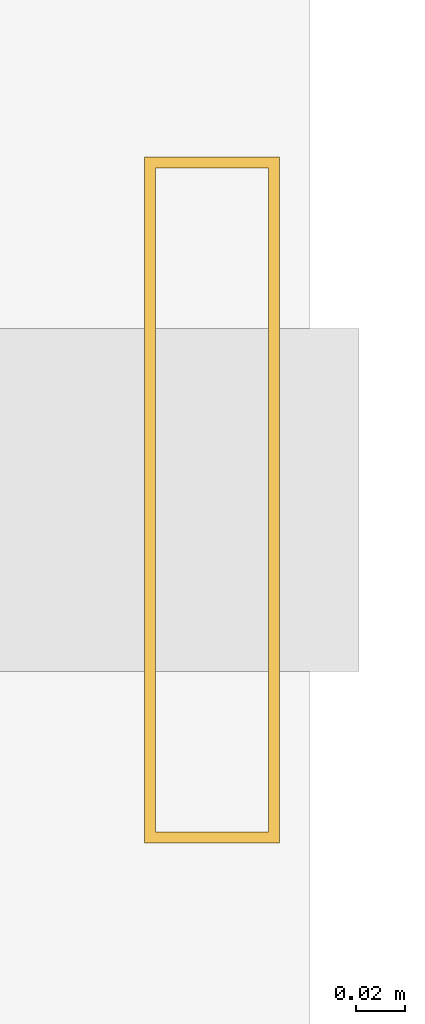
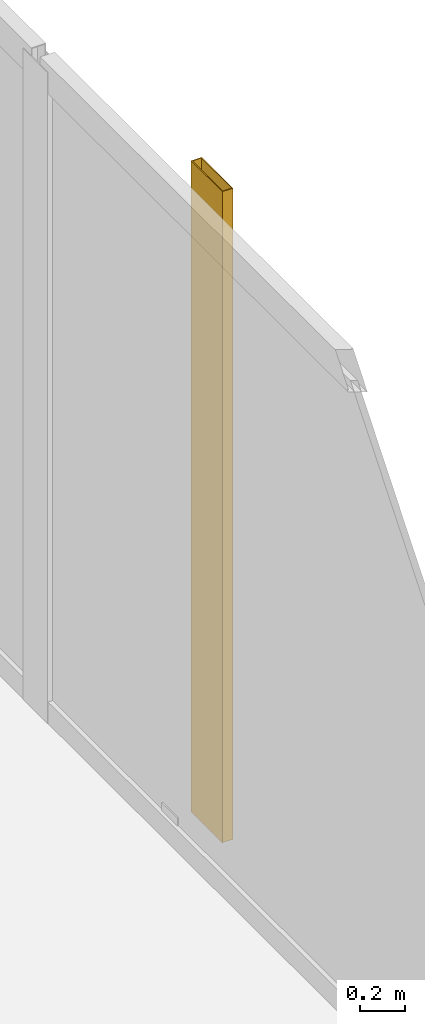
# One storey, part 23 of 23: 1 shading device.
"""IFC4 building model written with IfcOpenShell, lengths in metres."""

from ifc_helpers import new_model, si_unit, direction, frame, origin, origin_2d, place, context, subcontext, project, spatial, hollow_rectangle, extrude, material, material_profile, profile_set, type_object, element, save


model = new_model("IFC4")

# Units and contexts
model_context = context("Model", 3, precision=1e-05, world=origin(), true_north=direction((0.0, 1.0)))
body_context = subcontext(model_context, "Body", "Model", "MODEL_VIEW")
ifc_project = project(units=[si_unit("LENGTHUNIT", "METRE"), si_unit("AREAUNIT", "SQUARE_METRE"), si_unit("VOLUMEUNIT", "CUBIC_METRE"), si_unit("PLANEANGLEUNIT", "RADIAN"), si_unit("MASSUNIT", "GRAM", prefix="KILO")], contexts=[model_context])

# Site, building, storey
site_placement = place(None, origin())
site = spatial("IfcSite", under=ifc_project, at=site_placement, CompositionType="ELEMENT")
building_placement = place(site_placement, origin())
building = spatial("IfcBuilding", under=site, at=building_placement, Name="Kolvaren Waterfront Exchange", CompositionType="ELEMENT")
storey_placement = place(building_placement, frame((0.0, 0.0, 289.39990234375)))
storey = spatial("IfcBuildingStorey", under=building, at=storey_placement, Name="L74", CompositionType="ELEMENT", Elevation=289.39990234375)

# Shading device
ifc_material = material(Name="Anodised bronze aluminium 6063-T6", Category="aluminium")
ifc_material_profile = material_profile(ifc_material, hollow_rectangle(XDim=0.054931640625, YDim=0.280029296875, WallThickness=0.00439453125, at=origin_2d()), Name="BRZ-FIN-280x55x4.5")
ifc_profile_set = profile_set([ifc_material_profile], Name="Anodised bronze aluminium 6063-T6")
shading_device_type = type_object("IfcShadingDeviceType", Name="ARC-FIN-280", PredefinedType="USERDEFINED", material=ifc_profile_set)
shading_device_placement = place(storey_placement, frame((21.286376953125, 38.39990234375, 0.0), z_axis=(0.0, 0.0, 1.0), x_axis=(1.0, 0.0, 0.0)))
element("IfcShadingDevice", 1, at=shading_device_placement, inside=storey, type_object=shading_device_type, Name="L74 anodised bronze solar shading fin FIN-L74-E3", ObjectType="SOLAR FIN", PredefinedType="USERDEFINED", context=body_context, shape_type="SweptSolid", body=[
    extrude(hollow_rectangle(XDim=0.054931640625, YDim=0.280029296875, WallThickness=0.00439453125, at=origin_2d()), origin(), (0.0, 0.0, 1.0), 3.56005859375),
])

save(model, "model.ifc")
